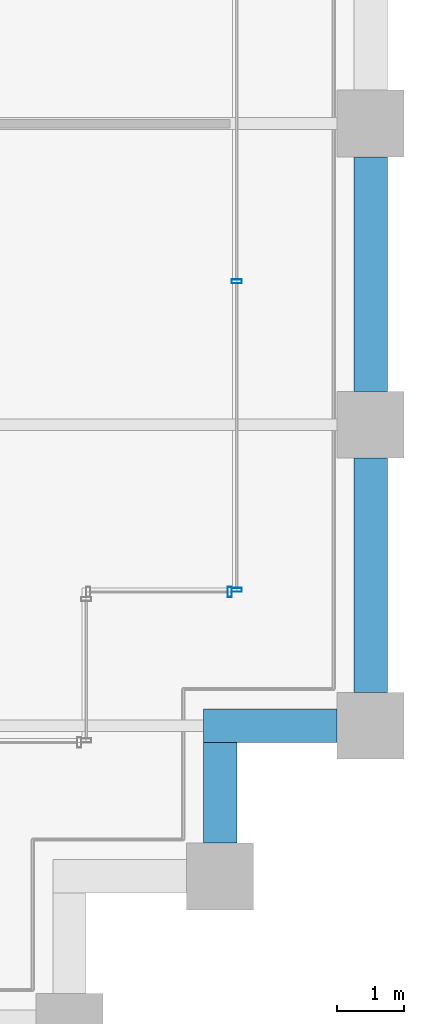
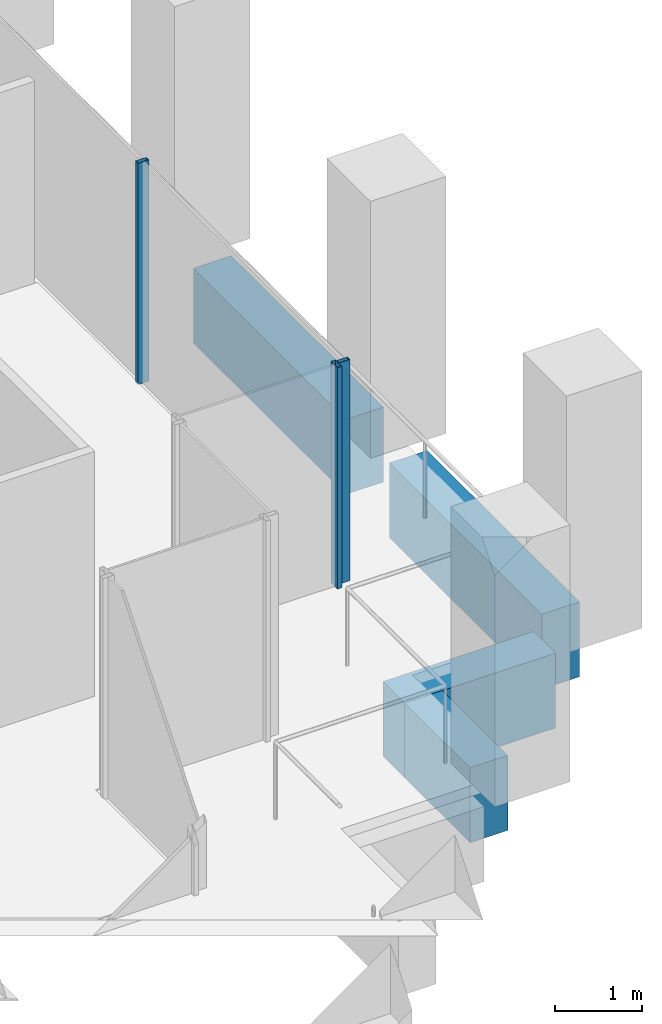
# One storey, part 37 of 46: 4 beams, 3 members, 2 elements without a shape of their own.
"""IFC4 building model written with IfcOpenShell, lengths in metres."""

from ifc_helpers import new_model, si_unit, direction, frame, origin, origin_2d, place, context, subcontext, project, spatial, rectangle, hollow_rectangle, extrude, material, material_profile, profile_set, type_object, element, aggregate, save


model = new_model("IFC4")

# Units and contexts
model_context = context("Model", 3, precision=1e-05, world=origin(), true_north=direction((0.0, 1.0)))
body_context = subcontext(model_context, "Body", "Model", "MODEL_VIEW")
ifc_project = project(units=[si_unit("LENGTHUNIT", "METRE"), si_unit("AREAUNIT", "SQUARE_METRE"), si_unit("VOLUMEUNIT", "CUBIC_METRE"), si_unit("PLANEANGLEUNIT", "RADIAN"), si_unit("MASSUNIT", "GRAM", prefix="KILO")], contexts=[model_context])

# Site, building, storey
site_placement = place(None, origin())
site = spatial("IfcSite", under=ifc_project, at=site_placement, CompositionType="ELEMENT")
building_placement = place(site_placement, origin())
building = spatial("IfcBuilding", under=site, at=building_placement, Name="Altepetl Exchange Towers", CompositionType="ELEMENT")
storey_placement = place(building_placement, frame((0.0, 0.0, 128.0)))
storey = spatial("IfcBuildingStorey", under=building, at=storey_placement, Name="L31", CompositionType="ELEMENT", Elevation=128.0)

# Curtain wall, member
ifc_material_1 = material(Name="Aluminium 6063-T6 glazing", Category="aluminium")
curtain_wall_type = type_object("IfcCurtainWallType", Name="Loggia glazing system", PredefinedType="NOTDEFINED", material=ifc_material_1)
curtain_wall_1_placement = place(storey_placement, origin())
curtain_wall_1 = element("IfcCurtainWall", 1, at=curtain_wall_1_placement, inside=storey, type_object=curtain_wall_type, Name="CW1 run", PredefinedType="NOTDEFINED")
ifc_material_2 = material(Name="Aluminium 6063-T6", Category="aluminium")
ifc_material_profile_1 = material_profile(ifc_material_2, hollow_rectangle(XDim=0.06005859375, YDim=0.14990234375, WallThickness=0.0029296875, at=origin_2d()), Name="Mullion 60x150 aluminium")
ifc_profile_set_1 = profile_set([ifc_material_profile_1], Name="Aluminium 6063-T6")
member_type = type_object("IfcMemberType", Name="Mullion 60x150 aluminium", PredefinedType="MULLION", material=ifc_profile_set_1)
member_1_placement = place(storey_placement, frame((123.89501953125, 33.5, 0.0)))
member_1 = element("IfcMember", 2, at=member_1_placement, type_object=member_type, Name="MU1 mullion", PredefinedType="MULLION", context=body_context, shape_type="SweptSolid", body=[
    extrude(hollow_rectangle(XDim=0.06005859375, YDim=0.14990234375, WallThickness=0.0029296875, at=origin_2d()), origin(), (0.0, 0.0, 1.0), 3.10009765625),
])
aggregate(curtain_wall_1, [member_1])

# Curtain wall, members
curtain_wall_2_placement = place(storey_placement, origin())
curtain_wall_2 = element("IfcCurtainWall", 3, at=curtain_wall_2_placement, inside=storey, type_object=curtain_wall_type, Name="CW1 run", PredefinedType="NOTDEFINED")
member_2_placement = place(storey_placement, frame((124.0, 33.530029296875, 0.0), z_axis=(0.0, 0.0, 1.0), x_axis=(0.0, 1.0, 0.0)))
member_2 = element("IfcMember", 4, at=member_2_placement, type_object=member_type, Name="MU1 mullion", PredefinedType="MULLION", context=body_context, shape_type="SweptSolid", body=[
    extrude(hollow_rectangle(XDim=0.06005859375, YDim=0.14990234375, WallThickness=0.0029296875, at=origin_2d()), origin(), (0.0, 0.0, 1.0), 3.10009765625),
])
member_3_placement = place(storey_placement, frame((124.0, 38.1416015625, 0.0), z_axis=(0.0, 0.0, 1.0), x_axis=(0.0, 1.0, 0.0)))
member_3 = element("IfcMember", 5, at=member_3_placement, type_object=member_type, Name="MU1 mullion", PredefinedType="MULLION", context=body_context, shape_type="SweptSolid", body=[
    extrude(hollow_rectangle(XDim=0.06005859375, YDim=0.14990234375, WallThickness=0.0029296875, at=origin_2d()), origin(), (0.0, 0.0, 1.0), 3.10009765625),
])
aggregate(curtain_wall_2, [member_2, member_3])

# Beams
ifc_material_3 = material(Name="Concrete C50/60 precast with cantera blanca facing", Category="concrete")
ifc_material_profile_2 = material_profile(ifc_material_3, rectangle(XDim=0.5, YDim=1.050048828125, at=origin_2d()), Name="500 x 1050")
ifc_profile_set_2 = profile_set([ifc_material_profile_2], Name="Concrete C50/60 precast with cantera blanca facing")
beam_type = type_object("IfcBeamType", Name="Spandrel beam 500x1050 cantera blanca", PredefinedType="SPANDREL", material=ifc_profile_set_2)
beam_1_placement = place(storey_placement, frame((123.75, 29.75, -0.675048828125), z_axis=(0.0, 1.0, 0.0), x_axis=(-1.0, 0.0, 0.0)))
element("IfcBeam", 6, at=beam_1_placement, inside=storey, type_object=beam_type, Name="sp:B:L31:007", PredefinedType="SPANDREL", context=body_context, shape_type="SweptSolid", body=[
    extrude(rectangle(XDim=0.5, YDim=1.050048828125, at=origin_2d()), origin(), (0.0, 0.0, 1.0), 1.5),
])
beam_2_placement = place(storey_placement, frame((123.5, 31.5, -0.675048828125), z_axis=(1.0, 0.0, 0.0), x_axis=(0.0, 1.0, 0.0)))
element("IfcBeam", 7, at=beam_2_placement, inside=storey, type_object=beam_type, Name="sp:B:L31:008", PredefinedType="SPANDREL", context=body_context, shape_type="SweptSolid", body=[
    extrude(rectangle(XDim=0.5, YDim=1.050048828125, at=origin_2d()), origin(), (0.0, 0.0, 1.0), 2.0),
])
for number, where, z_axis, x_axis, name in (
    (8, (126.0, 32.0, -0.675048828125), (0.0, 1.0, 0.0), (-1.0, 0.0, 0.0), "sp:B:L31:009"),
    (9, (126.0, 36.5, -0.675048828125), (0.0, 1.0, 0.0), (-1.0, 0.0, 0.0), "sp:B:L31:010"),
):
    element("IfcBeam", number, at=place(storey_placement, frame(where, z_axis=z_axis, x_axis=x_axis)), inside=storey, type_object=beam_type, Name=name, PredefinedType="SPANDREL", context=body_context, shape_type="SweptSolid", body=[
        extrude(rectangle(XDim=0.5, YDim=1.050048828125, at=origin_2d()), origin(), (0.0, 0.0, 1.0), 3.5),
    ])

save(model, "model.ifc")
